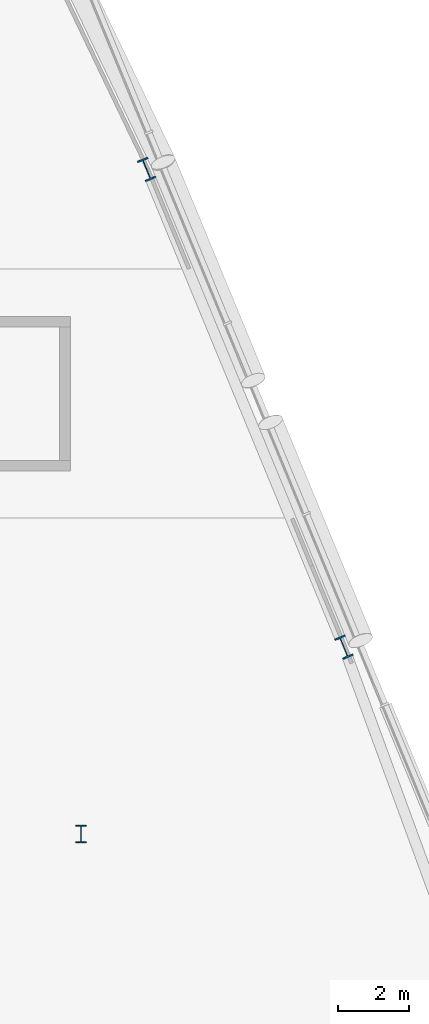
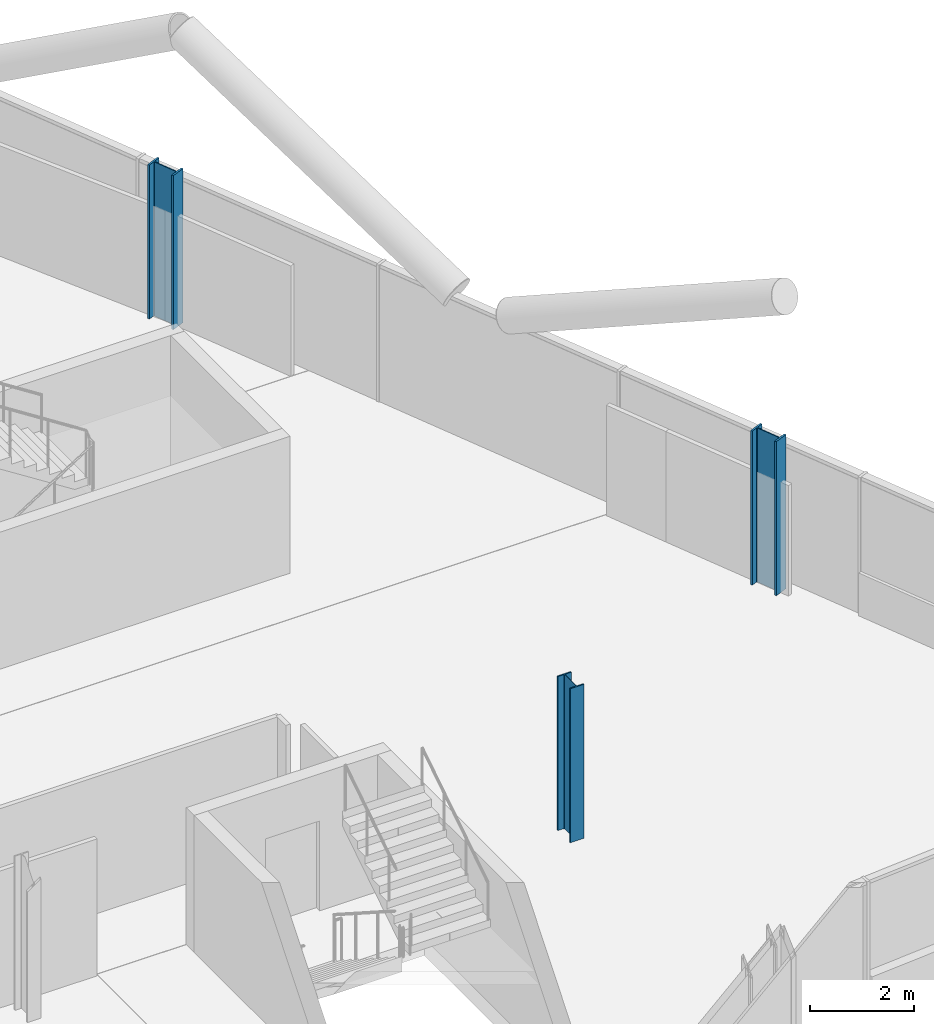
# One storey, part 5 of 26: 3 columns.
"""IFC4 building model written with IfcOpenShell, lengths in metres."""

from ifc_helpers import new_model, si_unit, direction, frame, origin, origin_2d, place, context, subcontext, project, spatial, i_section, extrude, material, material_profile, profile_set, type_object, element, save


model = new_model("IFC4")

# Units and contexts
model_context = context("Model", 3, precision=1e-05, world=origin(), true_north=direction((0.0, 1.0)))
body_context = subcontext(model_context, "Body", "Model", "MODEL_VIEW")
ifc_project = project(units=[si_unit("LENGTHUNIT", "METRE"), si_unit("AREAUNIT", "SQUARE_METRE"), si_unit("VOLUMEUNIT", "CUBIC_METRE"), si_unit("PLANEANGLEUNIT", "RADIAN"), si_unit("MASSUNIT", "GRAM", prefix="KILO")], contexts=[model_context])

# Site, building, storey
site_placement = place(None, origin())
site = spatial("IfcSite", under=ifc_project, at=site_placement, CompositionType="ELEMENT")
building_placement = place(site_placement, origin())
building = spatial("IfcBuilding", under=site, at=building_placement, Name="Wharfspan Tower", CompositionType="ELEMENT")
storey_placement = place(building_placement, frame((0.0, 0.0, 180.699951)))
storey = spatial("IfcBuildingStorey", under=building, at=storey_placement, Name="L44", CompositionType="ELEMENT", Elevation=180.699951)

# Columns
ifc_material = material(Name="Steel S355J2", Category="steel")
ifc_material_profile_1 = material_profile(ifc_material, i_section(OverallWidth=0.300049, OverallDepth=0.5, WebThickness=0.014404, FlangeThickness=0.028076, FilletRadius=0.0271, at=origin_2d()))
ifc_profile_set_1 = profile_set([ifc_material_profile_1], Name="Steel S355J2")
column_type_1 = type_object("IfcColumnType", Name="Column HEB 500", PredefinedType="COLUMN", material=ifc_profile_set_1)
column_placement = place(storey_placement, frame((72.0, 11.5, 0.0), z_axis=(0.0, 0.0, 1.0), x_axis=(1.0, 0.0, 0.0)))
element("IfcColumn", 1, at=column_placement, inside=storey, type_object=column_type_1, Name="Interior column I.1.5 L44", PredefinedType="COLUMN", context=body_context, shape_type="SweptSolid", body=[
    extrude(i_section(OverallWidth=0.300049, OverallDepth=0.5, WebThickness=0.014404, FlangeThickness=0.028076, FilletRadius=0.0271, at=origin_2d()), origin(), (0.0, 0.0, 1.0), 3.600098),
])
ifc_material_profile_2 = material_profile(ifc_material, i_section(OverallWidth=0.304932, OverallDepth=0.620117, WebThickness=0.020996, FlangeThickness=0.040039, FilletRadius=0.0271, at=origin_2d()))
ifc_profile_set_2 = profile_set([ifc_material_profile_2], Name="Steel S355J2")
column_type_2 = type_object("IfcColumnType", Name="Column HEM 600", PredefinedType="COLUMN", material=ifc_profile_set_2)
for number, where, z_axis, x_axis, name in (
    (2, (79.409668, 16.761719, 0.0), (0.0, 0.0, 1.0), (0.924325, 0.381602, 0.0), "Perimeter column PE.1 L44"),
    (3, (73.85376, 30.219238, 0.0), (0.0, 0.0, 1.0), (0.924325, 0.381602, 0.0), "Perimeter column PE.2 L44"),
):
    element("IfcColumn", number, at=place(storey_placement, frame(where, z_axis=z_axis, x_axis=x_axis)), inside=storey, type_object=column_type_2, Name=name, PredefinedType="COLUMN", context=body_context, shape_type="SweptSolid", body=[
        extrude(i_section(OverallWidth=0.304932, OverallDepth=0.620117, WebThickness=0.020996, FlangeThickness=0.040039, FilletRadius=0.0271, at=origin_2d()), origin(), (0.0, 0.0, 1.0), 3.600098),
    ])

save(model, "model.ifc")
